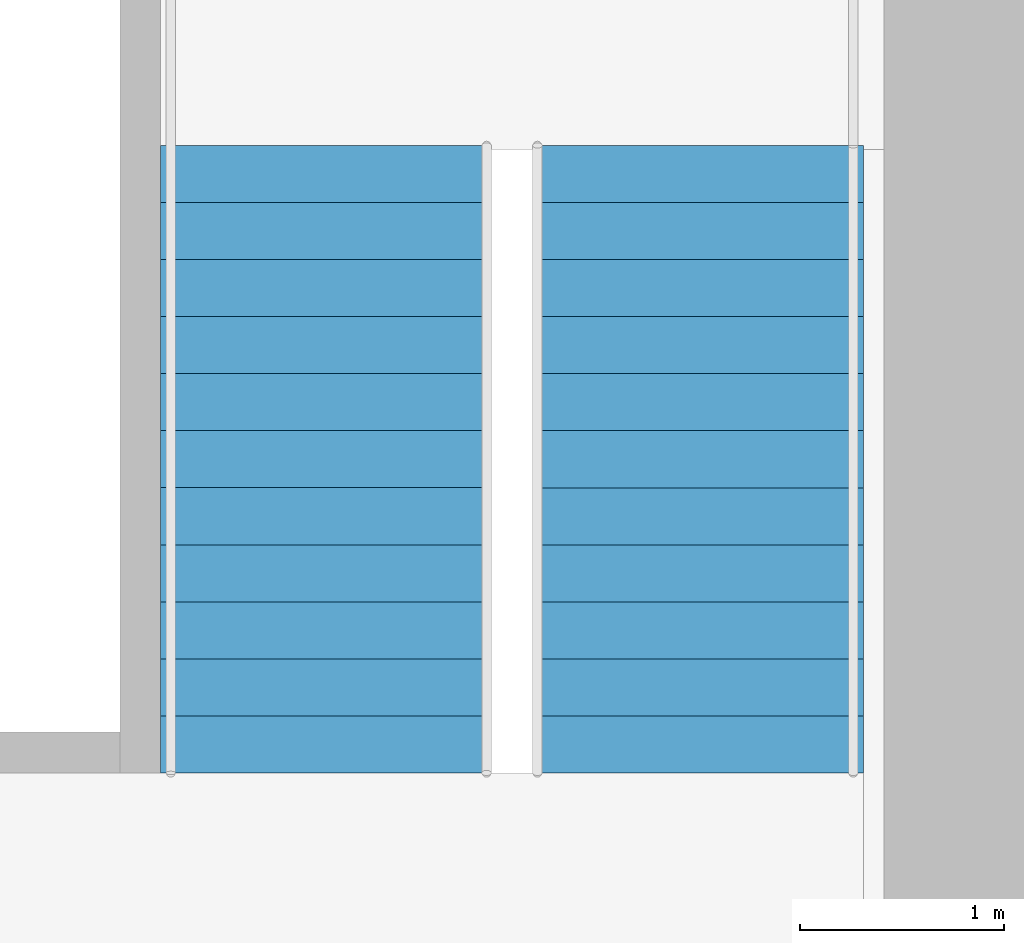
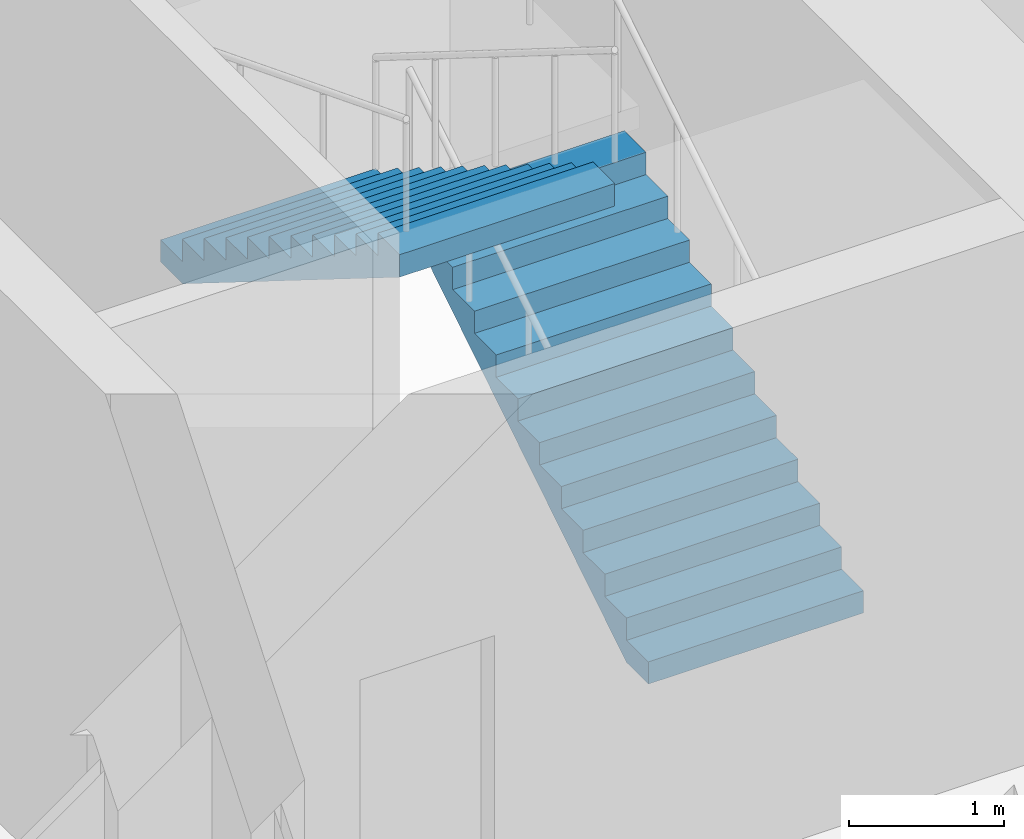
# One storey, part 11 of 12: 2 stair flights, 1 element without a shape of its own.
"""IFC4 building model written with IfcOpenShell, lengths in metres."""

import ifcopenshell
import ifcopenshell.guid

model = None  # the IFC model being written
_history = None  # IfcOwnerHistory: only IFC2X3 demands one
_inside = {}  # id of a spatial element -> (the spatial element, [elements in it])
_under = {}  # id of a project, library or spatial element -> (it, [spatial elements below it])
_declared = {}  # id of a project -> (the project, [libraries it declares])
_typed = {}  # id of a type object -> (the type object, [elements of that type])
_made_of = {}  # id of a material, layer set ... -> (it, [elements and type objects made of it])


def new_model(schema):
    """Start an empty IFC model of exactly this schema.

    Asked for "IFC4X3", IfcOpenShell would pick the latest addendum, in which some entities
    have other attributes; the version numbers below select the first issue.
    IFC2X3 requires an IfcOwnerHistory on every rooted entity: one is made here for all.
    """
    global model, _history
    if schema == "IFC4X3":
        model = ifcopenshell.file(schema_version=(4, 3, 0, 0))
    else:
        model = ifcopenshell.file(schema=schema)
    _inside.clear()
    _under.clear()
    _declared.clear()
    _typed.clear()
    _made_of.clear()
    _history = None
    if model.schema == "IFC2X3":
        org = make("IfcOrganization", Name="unknown")
        user = make(
            "IfcPersonAndOrganization",
            ThePerson=make("IfcPerson", FamilyName="unknown"),
            TheOrganization=org,
        )
        app = make(
            "IfcApplication",
            ApplicationDeveloper=org,
            Version="unknown",
            ApplicationFullName="unknown",
            ApplicationIdentifier="unknown",
        )
        _history = make(
            "IfcOwnerHistory",
            OwningUser=user,
            OwningApplication=app,
            ChangeAction="ADDED",
            CreationDate=0,
        )
    return model


def make(cls, **values):
    """One entity of the class cls with the attributes given. An attribute that is None is left unset."""
    return model.create_entity(
        cls, **{name: value for name, value in values.items() if value is not None}
    )


def rooted(cls, **values):
    """An entity with a GlobalId (a new one), such as an element, a storey or a relation."""
    return make(cls, GlobalId=ifcopenshell.guid.new(), OwnerHistory=_history, **values)


def si_unit(unit_type, name, prefix=None):
    """IfcSIUnit, for example si_unit("LENGTHUNIT", "METRE", prefix="MILLI")."""
    return make("IfcSIUnit", UnitType=unit_type, Prefix=prefix, Name=name)


def assignment(units):
    """IfcUnitAssignment: the units of a project."""
    return None if units is None else make("IfcUnitAssignment", Units=units)


def point(xyz):
    """IfcCartesianPoint."""
    return None if xyz is None else make("IfcCartesianPoint", Coordinates=xyz)


def direction(xyz):
    """IfcDirection."""
    return None if xyz is None else make("IfcDirection", DirectionRatios=xyz)


def frame(location, z_axis=None, x_axis=None):
    """IfcAxis2Placement3D, a coordinate frame: its origin and axes. An axis left out is left unset."""
    return make(
        "IfcAxis2Placement3D",
        Location=point(location),
        Axis=direction(z_axis),
        RefDirection=direction(x_axis),
    )


def origin():
    """The frame at (0, 0, 0) with its axes left unset."""
    return frame((0.0, 0.0, 0.0))


def place(relative_to, where):
    """IfcLocalPlacement: puts the frame where relative to a parent placement (None: the world)."""
    return make(
        "IfcLocalPlacement", PlacementRelTo=relative_to, RelativePlacement=where
    )


def context(
    kind, dimensions, precision=None, world=None, true_north=None, identifier=None
):
    """IfcGeometricRepresentationContext, for example the 3D "Model" context."""
    return make(
        "IfcGeometricRepresentationContext",
        ContextIdentifier=identifier,
        ContextType=kind,
        CoordinateSpaceDimension=dimensions,
        Precision=precision,
        WorldCoordinateSystem=world,
        TrueNorth=true_north,
    )


def subcontext(parent, identifier, kind, view, scale=None):
    """IfcGeometricRepresentationSubContext, for example "Body" below "Model"."""
    return make(
        "IfcGeometricRepresentationSubContext",
        ContextIdentifier=identifier,
        ContextType=kind,
        ParentContext=parent,
        TargetScale=scale,
        TargetView=view,
    )


def project(units=None, contexts=None):
    """IfcProject with its units and contexts."""
    return rooted(
        "IfcProject",
        Name="project",
        RepresentationContexts=contexts,
        UnitsInContext=assignment(units),
    )


def spatial(cls, under=None, at=None, **own):
    """A site, building, storey or space (cls), placed at a placement, below another one or the project."""
    s = rooted(cls, ObjectPlacement=at, **own)
    if under is not None:
        _under.setdefault(under.id(), (under, []))[1].append(s)
    return s


def polyline(points):
    """IfcPolyline through the points."""
    return make("IfcPolyline", Points=[point(p) for p in points])


def outline(outer, holes=None, kind="AREA"):
    """IfcArbitraryClosedProfileDef: a profile drawn as a closed curve; with holes, ...WithVoids."""
    if holes is None:
        return make("IfcArbitraryClosedProfileDef", ProfileType=kind, OuterCurve=outer)
    return make(
        "IfcArbitraryProfileDefWithVoids",
        ProfileType=kind,
        OuterCurve=outer,
        InnerCurves=holes,
    )


def extrude(swept, where, along, depth):
    """IfcExtrudedAreaSolid: the profile swept, set in the frame where, extruded along a direction by depth."""
    return make(
        "IfcExtrudedAreaSolid",
        SweptArea=swept,
        Position=where,
        ExtrudedDirection=direction(along),
        Depth=depth,
    )


def shape(context_of_items, identifier, shape_type, items):
    """IfcShapeRepresentation: the items that make up one representation, for example the "Body"."""
    return make(
        "IfcShapeRepresentation",
        ContextOfItems=context_of_items,
        RepresentationIdentifier=identifier,
        RepresentationType=shape_type,
        Items=items,
    )


def material(Name=None, Category=None):
    """IfcMaterial."""
    return make("IfcMaterial", Name=Name, Category=Category)


def made_of(thing, what):
    """Note that an element or type object is made of a material, layer set ...; save() writes the relation."""
    if what is not None:
        _made_of.setdefault(what.id(), (what, []))[1].append(thing)
    return thing


def type_object(cls, material=None, **own):
    """A type object (cls), such as IfcWallType, which elements share."""
    return made_of(rooted(cls, **own), material)


def element(
    cls,
    number,
    at=None,
    inside=None,
    cuts=None,
    type_object=None,
    material=None,
    context=None,
    identifier="Body",
    shape_type=None,
    held_by="IfcProductDefinitionShape",
    body=None,
    shapes=None,
    **own,
):
    """One element of the class cls, such as IfcWall. Its Tag is "e" and its number.

    at: its placement. inside: the storey or other place that contains it. cuts: it is an
    opening in that element (IfcRelVoidsElement). A single representation is given by context,
    identifier, shape_type and body (its items); several are given by shapes. held_by: the class
    of the entity that holds the representations. save() writes the other relations.
    """
    e = rooted(cls, Tag="e%d" % number, ObjectPlacement=at, **own)
    if body is not None:
        shapes = [shape(context, identifier, shape_type, body)]
    if shapes is not None:
        e.Representation = make(held_by, Representations=shapes)
    if inside is not None:
        _inside.setdefault(inside.id(), (inside, []))[1].append(e)
    if cuts is not None:
        rooted(
            "IfcRelVoidsElement", RelatingBuildingElement=cuts, RelatedOpeningElement=e
        )
    if type_object is not None:
        _typed.setdefault(type_object.id(), (type_object, []))[1].append(e)
    return made_of(e, material)


def aggregate(whole, parts):
    """IfcRelAggregates: a whole, such as a stair, and the parts it consists of."""
    return rooted("IfcRelAggregates", RelatingObject=whole, RelatedObjects=parts)


def save(model, path):
    """Write the relations noted so far, then the file.

    IfcRelAggregates (storeys below a building ...), IfcRelContainedInSpatialStructure (elements
    in a storey), IfcRelDefinesByType, IfcRelAssociatesMaterial and IfcRelDeclares: one each for
    every whole, place, type object, material and project.
    """
    for whole, parts in _under.values():
        aggregate(whole, parts)
    for where, things in _inside.values():
        rooted(
            "IfcRelContainedInSpatialStructure",
            RelatedElements=things,
            RelatingStructure=where,
        )
    for kind, things in _typed.values():
        rooted("IfcRelDefinesByType", RelatedObjects=things, RelatingType=kind)
    for what, things in _made_of.values():
        rooted("IfcRelAssociatesMaterial", RelatedObjects=things, RelatingMaterial=what)
    for by, libraries in _declared.values():
        rooted("IfcRelDeclares", RelatingContext=by, RelatedDefinitions=libraries)
    model.write(path)


model = new_model("IFC4")

# Units and contexts
model_context = context("Model", 3, precision=1e-05, world=origin(), true_north=direction((0.0, 1.0)))
body_context = subcontext(model_context, "Body", "Model", "MODEL_VIEW")
ifc_project = project(units=[si_unit("LENGTHUNIT", "METRE"), si_unit("AREAUNIT", "SQUARE_METRE"), si_unit("VOLUMEUNIT", "CUBIC_METRE"), si_unit("PLANEANGLEUNIT", "RADIAN"), si_unit("MASSUNIT", "GRAM", prefix="KILO")], contexts=[model_context])

# Site, building, storey
site_placement = place(None, origin())
site = spatial("IfcSite", under=ifc_project, at=site_placement, CompositionType="ELEMENT")
building_placement = place(site_placement, origin())
building = spatial("IfcBuilding", under=site, at=building_placement, Name="Ghaith Harvest Tower", CompositionType="ELEMENT")
storey_placement = place(building_placement, frame((0.0, 0.0, 300.60009765625)))
storey = spatial("IfcBuildingStorey", under=building, at=storey_placement, Name="L67", CompositionType="ELEMENT", Elevation=300.60009765625)

# Stair, stair flights
ifc_material_1 = material(Name="Concrete C40/50, precast", Category="concrete")
stair_type = type_object("IfcStairType", Name="CORE STAIR 24R", PredefinedType="HALF_TURN_STAIR", material=ifc_material_1)
stair_placement = place(storey_placement, origin())
stair = element("IfcStair", 1, at=stair_placement, inside=storey, type_object=stair_type, Name="Stair ST2 L67", PredefinedType="HALF_TURN_STAIR")
ifc_material_2 = material(Name="Concrete C40/50, precast", Category="concrete")
stair_flight_type = type_object("IfcStairFlightType", Name="CORE FLIGHT 12R 1600", PredefinedType="STRAIGHT", material=ifc_material_2)
stair_flight_1_placement = place(storey_placement, frame((12.0, 3.39990234375, 0.0), z_axis=(0.0, 0.0, 1.0), x_axis=(0.0, 1.0, 0.0)))
stair_flight_1 = element("IfcStairFlight", 2, at=stair_flight_1_placement, type_object=stair_flight_type, Name="ST2 flight 1", NumberOfRisers=12, NumberOfTreads=11, PredefinedType="STRAIGHT", RiserHeight=0.175, TreadLength=0.28, context=body_context, shape_type="SweptSolid", body=[
    extrude(outline(polyline([(0.0, 0.0), (0.0, 0.175048828125), (0.280029296875, 0.175048828125), (0.280029296875, 0.35009765625), (0.56005859375, 0.35009765625), (0.56005859375, 0.52490234375), (0.840087890625, 0.52490234375), (0.840087890625, 0.699951171875), (1.1201171875, 0.699951171875), (1.1201171875, 0.875), (1.39990234375, 0.875), (1.39990234375, 1.050048828125), (1.679931640625, 1.050048828125), (1.679931640625, 1.22509765625), (1.9599609375, 1.22509765625), (1.9599609375, 1.39990234375), (2.239990234375, 1.39990234375), (2.239990234375, 1.574951171875), (2.52001953125, 1.574951171875), (2.52001953125, 1.75), (2.800048828125, 1.75), (2.800048828125, 1.925048828125), (3.080078125, 1.925048828125), (3.080078125, 2.10009765625), (3.080078125, 1.748291015625), (0.28271484375, 0.0), (0.0, 0.0)])), frame((0.0, 0.800048828125, 0.0), z_axis=(0.0, -1.0, 0.0), x_axis=(1.0, 0.0, 0.0)), (0.0, 0.0, 1.0), 1.60009765625),
])
stair_flight_2_placement = place(storey_placement, frame((10.14990234375, 6.47998046875, 2.099853515625), z_axis=(0.0, 0.0, 1.0), x_axis=(0.0, -1.0, 0.0)))
stair_flight_2 = element("IfcStairFlight", 3, at=stair_flight_2_placement, type_object=stair_flight_type, Name="ST2 flight 2", NumberOfRisers=12, NumberOfTreads=11, PredefinedType="STRAIGHT", RiserHeight=0.175, TreadLength=0.28, context=body_context, shape_type="SweptSolid", body=[
    extrude(outline(polyline([(0.0, 0.0), (0.0, 0.175048828125), (0.280029296875, 0.175048828125), (0.280029296875, 0.35009765625), (0.56005859375, 0.35009765625), (0.56005859375, 0.52490234375), (0.840087890625, 0.52490234375), (0.840087890625, 0.699951171875), (1.1201171875, 0.699951171875), (1.1201171875, 0.875), (1.39990234375, 0.875), (1.39990234375, 1.050048828125), (1.679931640625, 1.050048828125), (1.679931640625, 1.22509765625), (1.9599609375, 1.22509765625), (1.9599609375, 1.39990234375), (2.239990234375, 1.39990234375), (2.239990234375, 1.574951171875), (2.52001953125, 1.574951171875), (2.52001953125, 1.75), (2.800048828125, 1.75), (2.800048828125, 1.925048828125), (3.080078125, 1.925048828125), (3.080078125, 2.10009765625), (3.080078125, 1.748291015625), (0.28271484375, 0.0), (0.0, 0.0)])), frame((0.0, 0.800048828125, 0.0), z_axis=(0.0, -1.0, 0.0), x_axis=(1.0, 0.0, 0.0)), (0.0, 0.0, 1.0), 1.60009765625),
])
aggregate(stair, [stair_flight_1, stair_flight_2])

save(model, "model.ifc")
